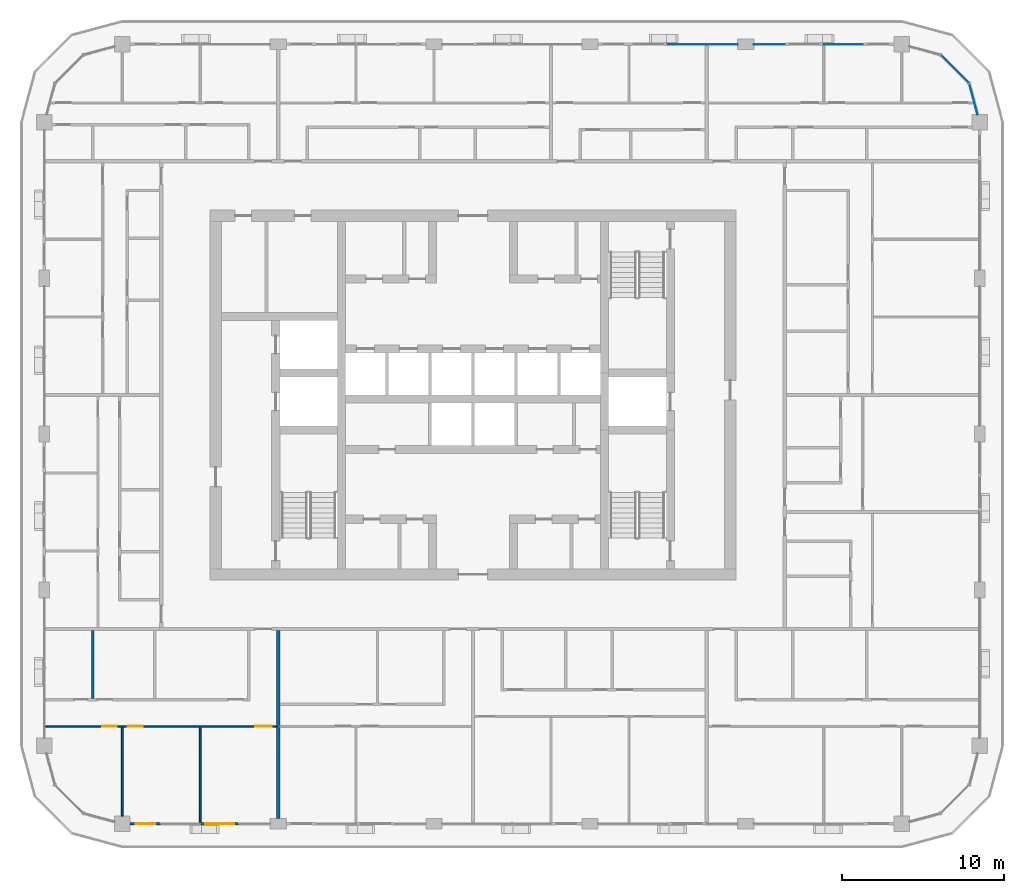
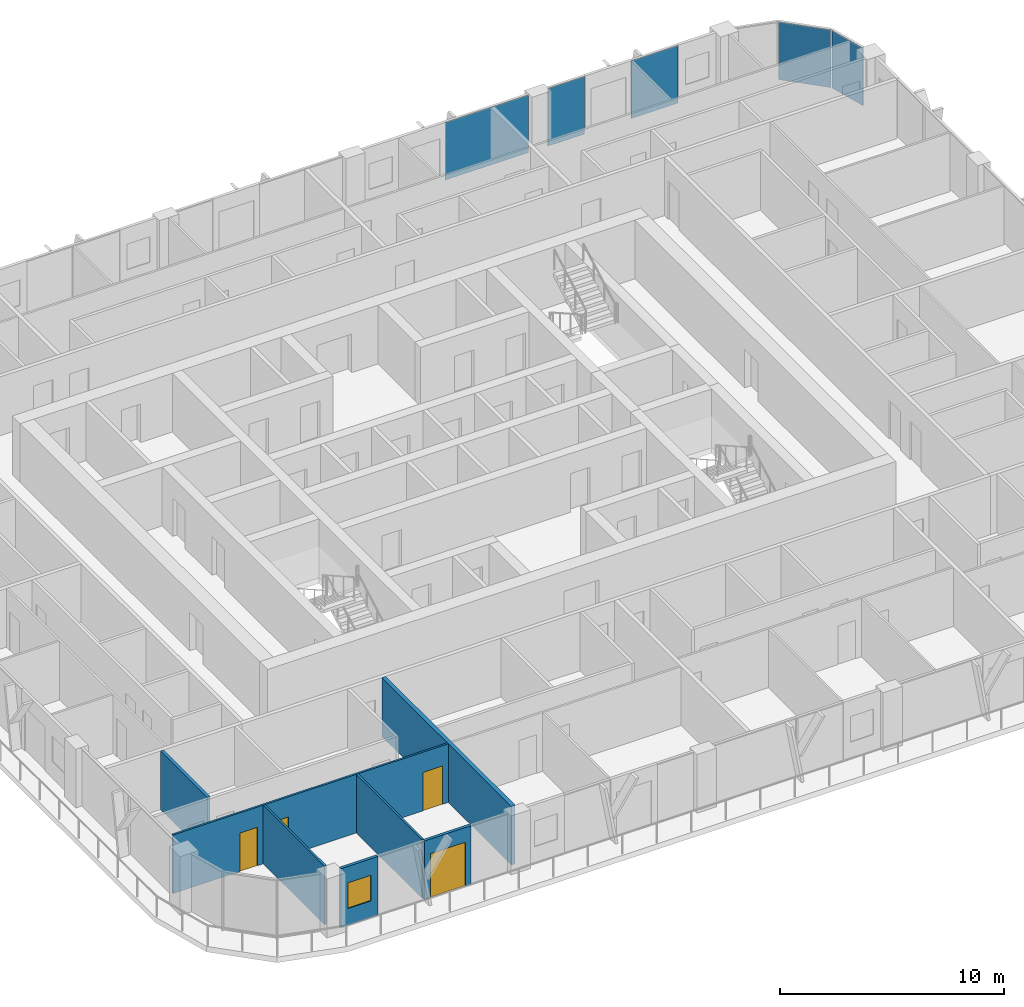
# One storey, part 8 of 22: 7 walls, 5 plates, 4 doors, 1 window, 5 openings, 3 elements without a shape of their own.
"""IFC4 building model written with IfcOpenShell, lengths in metres."""

from ifc_helpers import new_model, si_unit, direction, frame, frame_2d, origin, origin_2d, place, context, subcontext, project, spatial, rectangle, extrude, material, layer, layer_set, type_object, element, fill, aggregate, save


model = new_model("IFC4")

# Units and contexts
model_context = context("Model", 3, precision=1e-05, world=origin(), true_north=direction((0.0, 1.0)))
body_context = subcontext(model_context, "Body", "Model", "MODEL_VIEW")
ifc_project = project(units=[si_unit("LENGTHUNIT", "METRE"), si_unit("AREAUNIT", "SQUARE_METRE"), si_unit("VOLUMEUNIT", "CUBIC_METRE"), si_unit("PLANEANGLEUNIT", "RADIAN"), si_unit("MASSUNIT", "GRAM", prefix="KILO")], contexts=[model_context])

# Site, building, storey
site_placement = place(None, origin())
site = spatial("IfcSite", under=ifc_project, at=site_placement, CompositionType="ELEMENT")
building_placement = place(site_placement, origin())
building = spatial("IfcBuilding", under=site, at=building_placement, Name="Madar Terraces", CompositionType="ELEMENT")
storey_placement = place(building_placement, frame((0.0, 0.0, 192.89990234375)))
storey = spatial("IfcBuildingStorey", under=building, at=storey_placement, Name="L50", CompositionType="ELEMENT", Elevation=192.89990234375)

# Curtain wall, plates
ifc_material_1 = material(Name="Glass, ceramic frit dark grey, with black aluminium frame", Category="aluminium")
ifc_layer_1 = layer(ifc_material_1, 0.199951171875)
ifc_layer_set_1 = layer_set([ifc_layer_1], Name="Facade curtain wall, fritted glass")
curtain_wall_type = type_object("IfcCurtainWallType", Name="Facade curtain wall, fritted glass", PredefinedType="NOTDEFINED", material=ifc_layer_set_1)
curtain_wall_1_placement = place(storey_placement, origin())
curtain_wall_1 = element("IfcCurtainWall", 1, at=curtain_wall_1_placement, inside=storey, type_object=curtain_wall_type, Name="Outer skin curtain wall north bay 1", PredefinedType="NOTDEFINED")
ifc_material_2 = material(Name="Glass, ceramic frit dark grey", Category="glass")
ifc_layer_2 = layer(ifc_material_2, 0.028076171875)
ifc_layer_set_2 = layer_set([ifc_layer_2], Name="Facade glass panel 28")
plate_type = type_object("IfcPlateType", Name="Facade glass panel 28", PredefinedType="CURTAIN_PANEL", material=ifc_layer_set_2)
plate_1_placement = place(storey_placement, frame((54.0, 48.0, 0.0), z_axis=(0.0, 0.0, 1.0), x_axis=(-1.0, 0.0, 0.0)))
plate_1 = element("IfcPlate", 2, at=plate_1_placement, type_object=plate_type, Name="Panel 1", PredefinedType="CURTAIN_PANEL", context=body_context, shape_type="SweptSolid", body=[
    extrude(rectangle(XDim=2.39990234375, YDim=0.028076171875, at=origin_2d()), origin(), (0.0, 0.0, 1.0), 3.139892578125),
])
plate_2_placement = place(storey_placement, frame((49.449951171875, 48.0, 0.0), z_axis=(0.0, 0.0, 1.0), x_axis=(-1.0, 0.0, 0.0)))
plate_2 = element("IfcPlate", 3, at=plate_2_placement, type_object=plate_type, Name="Panel 2", PredefinedType="CURTAIN_PANEL", context=body_context, shape_type="SweptSolid", body=[
    extrude(rectangle(XDim=1.89990234375, YDim=0.028076171875, at=origin_2d()), origin(), (0.0, 0.0, 1.0), 3.139892578125),
])
aggregate(curtain_wall_1, [plate_1, plate_2])

# Curtain wall, plate
curtain_wall_2_placement = place(storey_placement, origin())
curtain_wall_2 = element("IfcCurtainWall", 4, at=curtain_wall_2_placement, inside=storey, type_object=curtain_wall_type, Name="Outer skin curtain wall north bay 2", PredefinedType="NOTDEFINED")
plate_3_placement = place(storey_placement, frame((45.35009765625, 48.0, 0.0), z_axis=(0.0, 0.0, 1.0), x_axis=(-1.0, 0.0, 0.0)))
plate_3 = element("IfcPlate", 5, at=plate_3_placement, type_object=plate_type, Name="Panel 1", PredefinedType="CURTAIN_PANEL", context=body_context, shape_type="SweptSolid", body=[
    extrude(rectangle(XDim=4.300048828125, YDim=0.028076171875, at=origin_2d()), origin(), (0.0, 0.0, 1.0), 3.139892578125),
])
aggregate(curtain_wall_2, [plate_3])

# Curtain wall, plates
curtain_wall_3_placement = place(storey_placement, origin())
curtain_wall_3 = element("IfcCurtainWall", 6, at=curtain_wall_3_placement, inside=storey, type_object=curtain_wall_type, Name="Outer skin curtain wall north-east corner", PredefinedType="NOTDEFINED")
plate_4_placement = place(storey_placement, frame((62.018798828125, 44.623046875, 0.0), z_axis=(0.0, 0.0, 1.0), x_axis=(-0.258819021888, 0.965925832509, 0.0)))
plate_4 = element("IfcPlate", 7, at=plate_4_placement, type_object=plate_type, Name="Panel 1", PredefinedType="CURTAIN_PANEL", context=body_context, shape_type="SweptSolid", body=[
    extrude(rectangle(XDim=1.962890625, YDim=0.028076171875, at=origin_2d()), origin(), (0.0, 0.0, 1.0), 3.139892578125),
])
plate_5_placement = place(storey_placement, frame((60.87841796875, 46.478515625, 0.0), z_axis=(0.0, 0.0, 1.0), x_axis=(-0.707106781187, 0.707106781187, 0.0)))
plate_5 = element("IfcPlate", 8, at=plate_5_placement, type_object=plate_type, Name="Panel 2", PredefinedType="CURTAIN_PANEL", context=body_context, shape_type="SweptSolid", body=[
    extrude(rectangle(XDim=2.424560546875, YDim=0.028076171875, at=origin_2d()), origin(), (0.0, 0.0, 1.0), 3.139892578125),
])
aggregate(curtain_wall_3, [plate_4, plate_5])

# Wall, opening, window
ifc_material_3 = material(Name="Aluminium composite panel, black, over insulated backing", Category="aluminium")
ifc_layer_3 = layer(ifc_material_3, 0.14990234375)
ifc_layer_set_3 = layer_set([ifc_layer_3], Name="Facade bay panel 150")
wall_type_1 = type_object("IfcWallType", Name="Facade bay panel 150", PredefinedType="SOLIDWALL", material=ifc_layer_set_3)
wall_1_placement = place(storey_placement, frame((10.074951171875, 0.0, 0.0), z_axis=(0.0, 0.0, 1.0), x_axis=(1.0, 0.0, 0.0)))
wall_1 = element("IfcWall", 9, at=wall_1_placement, inside=storey, type_object=wall_type_1, Name="Facade bay panel", PredefinedType="SOLIDWALL", context=body_context, shape_type="SweptSolid", body=[
    extrude(rectangle(XDim=1.925048828125, YDim=0.14990234375, at=frame_2d((0.96240234375, 0.0))), origin(), (0.0, 0.0, 1.0), 3.2001953125),
])
opening_1_placement = place(wall_1_placement, frame((0.362548828125, 0.0, 0.89990234375)))
opening_1 = element("IfcOpeningElement", 10, at=opening_1_placement, cuts=wall_1, Name="Opening W1", PredefinedType="OPENING", context=body_context, shape_type="SweptSolid", body=[
    extrude(rectangle(XDim=1.199951171875, YDim=1.39990234375, at=frame_2d((0.60009765625, 0.699951171875))), frame((0.0, 0.0849609375, 0.0), z_axis=(0.0, -1.0, 0.0), x_axis=(1.0, 0.0, 0.0)), (0.0, 0.0, 1.0), 0.169921875),
])
ifc_material_4 = material(Name="Glass, clear, with black aluminium frame", Category="aluminium")
window_type = type_object("IfcWindowType", Name="Vent window 1200 x 1400", PartitioningType="SINGLE_PANEL", PredefinedType="WINDOW", material=ifc_material_4)
window_placement = place(opening_1_placement, origin())
window = element("IfcWindow", 11, at=window_placement, inside=storey, type_object=window_type, Name="Operable vent window", OverallHeight=1.39990234375, OverallWidth=1.199951171875, PartitioningType="SINGLE_PANEL", PredefinedType="WINDOW", context=body_context, shape_type="SweptSolid", body=[
    extrude(rectangle(XDim=1.199951171875, YDim=1.39990234375, at=frame_2d((0.60009765625, 0.699951171875))), frame((0.0, 0.030029296875, 0.0), z_axis=(0.0, -1.0, 0.0), x_axis=(1.0, 0.0, 0.0)), (0.0, 0.0, 1.0), 0.06005859375),
])
fill(opening_1, window)

# Wall, opening, door
wall_2_placement = place(storey_placement, frame((14.39990234375, 0.0, 0.0), z_axis=(0.0, 0.0, 1.0), x_axis=(1.0, 0.0, 0.0)))
wall_2 = element("IfcWall", 12, at=wall_2_placement, inside=storey, type_object=wall_type_1, Name="Facade bay panel", PredefinedType="SOLIDWALL", context=body_context, shape_type="SweptSolid", body=[
    extrude(rectangle(XDim=2.400146484375, YDim=0.14990234375, at=frame_2d((1.2001953125, 0.0))), origin(), (0.0, 0.0, 1.0), 3.2001953125),
])
opening_2_placement = place(wall_2_placement, frame((0.300048828125, 0.0, 0.0)))
opening_2 = element("IfcOpeningElement", 13, at=opening_2_placement, cuts=wall_2, Name="Opening ED1", PredefinedType="OPENING", context=body_context, shape_type="SweptSolid", body=[
    extrude(rectangle(XDim=1.800048828125, YDim=2.39990234375, at=frame_2d((0.89990234375, 1.199951171875))), frame((0.0, 0.0849609375, 0.0), z_axis=(0.0, -1.0, 0.0), x_axis=(1.0, 0.0, 0.0)), (0.0, 0.0, 1.0), 0.169921875),
])
ifc_material_5 = material(Name="Glass, clear, with black aluminium frame", Category="aluminium")
door_type_1 = type_object("IfcDoorType", Name="Balcony and terrace sliding door 1800 x 2400", OperationType="SLIDING_TO_LEFT", PredefinedType="DOOR", material=ifc_material_5)
door_1_placement = place(opening_2_placement, origin())
door_1 = element("IfcDoor", 14, at=door_1_placement, inside=storey, type_object=door_type_1, Name="Balcony door", OperationType="SLIDING_TO_LEFT", OverallHeight=2.39990234375, OverallWidth=1.800048828125, PredefinedType="DOOR", context=body_context, shape_type="SweptSolid", body=[
    extrude(rectangle(XDim=1.800048828125, YDim=2.39990234375, at=frame_2d((0.89990234375, 1.199951171875))), frame((0.0, 0.02490234375, 0.0), z_axis=(0.0, -1.0, 0.0), x_axis=(1.0, 0.0, 0.0)), (0.0, 0.0, 1.0), 0.050048828125),
])
fill(opening_2, door_1)

# Walls
ifc_material_6 = material(Name="Gypsum board on steel studs", Category="steel")
ifc_layer_4 = layer(ifc_material_6, 0.10009765625)
ifc_layer_set_4 = layer_set([ifc_layer_4], Name="Flat partition 100")
wall_type_2 = type_object("IfcWallType", Name="Flat partition 100", PredefinedType="PARTITIONING", material=ifc_layer_set_4)
wall_3_placement = place(storey_placement, frame((14.39990234375, 5.949951171875, 0.0), z_axis=(0.0, 0.0, 1.0), x_axis=(0.0, -1.0, 0.0)))
element("IfcWall", 15, at=wall_3_placement, inside=storey, type_object=wall_type_2, Name="Flat partition 100", PredefinedType="PARTITIONING", context=body_context, shape_type="SweptSolid", body=[
    extrude(rectangle(XDim=5.849853515625, YDim=0.10009765625, at=frame_2d((2.9248046875, 0.0))), origin(), (0.0, 0.0, 1.0), 3.2001953125),
])
wall_4_placement = place(storey_placement, frame((9.60009765625, 5.949951171875, 0.0), z_axis=(0.0, 0.0, 1.0), x_axis=(0.0, -1.0, 0.0)))
element("IfcWall", 16, at=wall_4_placement, inside=storey, type_object=wall_type_2, Name="Flat partition 100", PredefinedType="PARTITIONING", context=body_context, shape_type="SweptSolid", body=[
    extrude(rectangle(XDim=5.474853515625, YDim=0.10009765625, at=frame_2d((2.7373046875, 0.0))), origin(), (0.0, 0.0, 1.0), 3.2001953125),
])

# Wall, openings, doors
wall_5_placement = place(storey_placement, frame((19.10009765625, 6.0, 0.0), z_axis=(0.0, 0.0, 1.0), x_axis=(-1.0, 0.0, 0.0)))
wall_5 = element("IfcWall", 17, at=wall_5_placement, inside=storey, type_object=wall_type_2, Name="Flat partition 100", PredefinedType="PARTITIONING", context=body_context, shape_type="SweptSolid", body=[
    extrude(rectangle(XDim=14.2001953125, YDim=0.10009765625, at=frame_2d((7.10009765625, 0.0))), origin(), (0.0, 0.0, 1.0), 3.2001953125),
])
opening_3_placement = place(wall_5_placement, frame((0.300048828125, 0.0, 0.0)))
opening_3 = element("IfcOpeningElement", 18, at=opening_3_placement, cuts=wall_5, Name="Opening D3", PredefinedType="OPENING", context=body_context, shape_type="SweptSolid", body=[
    extrude(rectangle(XDim=1.0, YDim=2.10009765625, at=frame_2d((0.5, 1.050048828125))), frame((0.0, 0.06005859375, 0.0), z_axis=(0.0, -1.0, 0.0), x_axis=(1.0, 0.0, 0.0)), (0.0, 0.0, 1.0), 0.1201171875),
])
opening_4_placement = place(wall_5_placement, frame((8.25, 0.0, 0.0)))
opening_4 = element("IfcOpeningElement", 19, at=opening_4_placement, cuts=wall_5, Name="Opening D2", PredefinedType="OPENING", context=body_context, shape_type="SweptSolid", body=[
    extrude(rectangle(XDim=0.89990234375, YDim=2.10009765625, at=frame_2d((0.449951171875, 1.050048828125))), frame((0.0, 0.06005859375, 0.0), z_axis=(0.0, -1.0, 0.0), x_axis=(1.0, 0.0, 0.0)), (0.0, 0.0, 1.0), 0.1201171875),
])
opening_5_placement = place(wall_5_placement, frame((9.85009765625, 0.0, 0.0)))
opening_5 = element("IfcOpeningElement", 20, at=opening_5_placement, cuts=wall_5, Name="Opening D2", PredefinedType="OPENING", context=body_context, shape_type="SweptSolid", body=[
    extrude(rectangle(XDim=0.89990234375, YDim=2.10009765625, at=frame_2d((0.449951171875, 1.050048828125))), frame((0.0, 0.06005859375, 0.0), z_axis=(0.0, -1.0, 0.0), x_axis=(1.0, 0.0, 0.0)), (0.0, 0.0, 1.0), 0.1201171875),
])
ifc_material_7 = material(Name="Timber door leaf", Category="wood")
door_type_2 = type_object("IfcDoorType", Name="Flat living room door 1000", OperationType="NOTDEFINED", PredefinedType="DOOR", material=ifc_material_7)
door_2_placement = place(opening_3_placement, origin())
door_2 = element("IfcDoor", 21, at=door_2_placement, inside=storey, type_object=door_type_2, Name="Flat living room door 1000", OperationType="SINGLE_SWING_LEFT", OverallHeight=2.10009765625, OverallWidth=1.0, PredefinedType="DOOR", context=body_context, shape_type="SweptSolid", body=[
    extrude(rectangle(XDim=1.0, YDim=2.10009765625, at=frame_2d((0.5, 1.050048828125))), frame((0.0, 0.02490234375, 0.0), z_axis=(0.0, -1.0, 0.0), x_axis=(1.0, 0.0, 0.0)), (0.0, 0.0, 1.0), 0.050048828125),
])
fill(opening_3, door_2)
ifc_material_8 = material(Name="Timber door leaf", Category="wood")
door_type_3 = type_object("IfcDoorType", Name="Flat room door 900", OperationType="NOTDEFINED", PredefinedType="DOOR", material=ifc_material_8)
door_3_placement = place(opening_4_placement, origin())
door_3 = element("IfcDoor", 22, at=door_3_placement, inside=storey, type_object=door_type_3, Name="Flat room door 900", OperationType="SINGLE_SWING_RIGHT", OverallHeight=2.10009765625, OverallWidth=0.89990234375, PredefinedType="DOOR", context=body_context, shape_type="SweptSolid", body=[
    extrude(rectangle(XDim=0.89990234375, YDim=2.10009765625, at=frame_2d((0.449951171875, 1.050048828125))), frame((0.0, 0.02490234375, 0.0), z_axis=(0.0, -1.0, 0.0), x_axis=(1.0, 0.0, 0.0)), (0.0, 0.0, 1.0), 0.050048828125),
])
fill(opening_4, door_3)
door_4_placement = place(opening_5_placement, origin())
door_4 = element("IfcDoor", 23, at=door_4_placement, inside=storey, type_object=door_type_3, Name="Flat room door 900", OperationType="SINGLE_SWING_LEFT", OverallHeight=2.10009765625, OverallWidth=0.89990234375, PredefinedType="DOOR", context=body_context, shape_type="SweptSolid", body=[
    extrude(rectangle(XDim=0.89990234375, YDim=2.10009765625, at=frame_2d((0.449951171875, 1.050048828125))), frame((0.0, 0.02490234375, 0.0), z_axis=(0.0, -1.0, 0.0), x_axis=(1.0, 0.0, 0.0)), (0.0, 0.0, 1.0), 0.050048828125),
])
fill(opening_5, door_4)

# Walls
ifc_material_9 = material(Name="Lightweight blockwork", Category="masonry")
ifc_layer_5 = layer(ifc_material_9, 0.199951171875)
ifc_layer_set_5 = layer_set([ifc_layer_5], Name="Flat party and entrance wall 200")
wall_type_3 = type_object("IfcWallType", Name="Flat party and entrance wall 200", PredefinedType="PARTITIONING", material=ifc_layer_set_5)
wall_6_placement = place(storey_placement, frame((19.199951171875, 11.89990234375, 0.0), z_axis=(0.0, 0.0, 1.0), x_axis=(0.0, -1.0, 0.0)))
element("IfcWall", 24, at=wall_6_placement, inside=storey, type_object=wall_type_3, Name="Flat party and entrance wall 200", PredefinedType="PARTITIONING", context=body_context, shape_type="SweptSolid", body=[
    extrude(rectangle(XDim=11.574951171875, YDim=0.199951171875, at=frame_2d((5.78759765625, 0.0))), origin(), (0.0, 0.0, 1.0), 3.2001953125),
])
ifc_material_10 = material(Name="Lightweight blockwork", Category="masonry")
ifc_layer_6 = layer(ifc_material_10, 0.14990234375)
ifc_layer_set_6 = layer_set([ifc_layer_6], Name="Flat wet-room partition 150")
wall_type_4 = type_object("IfcWallType", Name="Flat wet-room partition 150", PredefinedType="PARTITIONING", material=ifc_layer_set_6)
wall_7_placement = place(storey_placement, frame((7.767333984375, 11.89990234375, 0.0), z_axis=(0.0, 0.0, 1.0), x_axis=(0.0, -1.0, 0.0)))
element("IfcWall", 25, at=wall_7_placement, inside=storey, type_object=wall_type_4, Name="Flat wet-room partition 150", PredefinedType="PARTITIONING", context=body_context, shape_type="SweptSolid", body=[
    extrude(rectangle(XDim=4.1748046875, YDim=0.14990234375, at=frame_2d((2.08740234375, 0.0))), origin(), (0.0, 0.0, 1.0), 3.2001953125),
])

save(model, "model.ifc")
